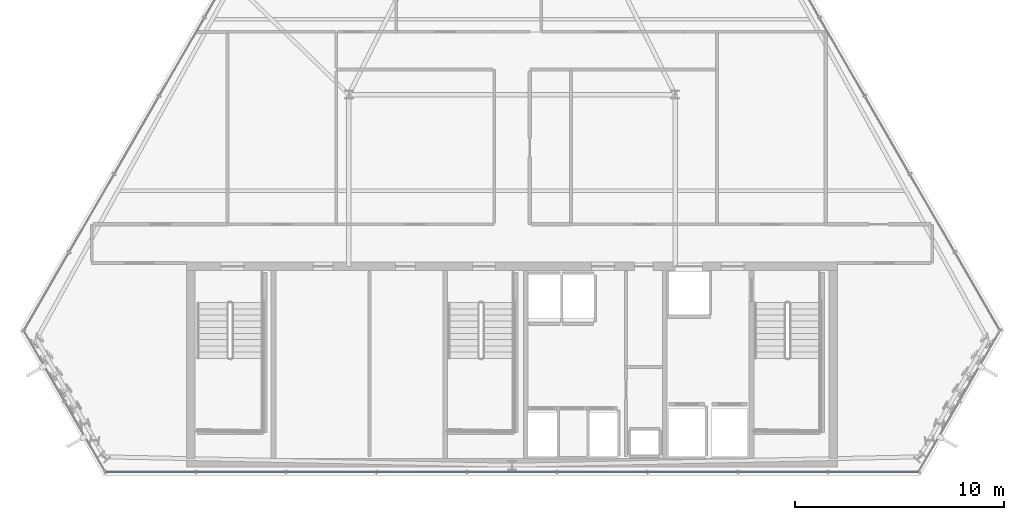
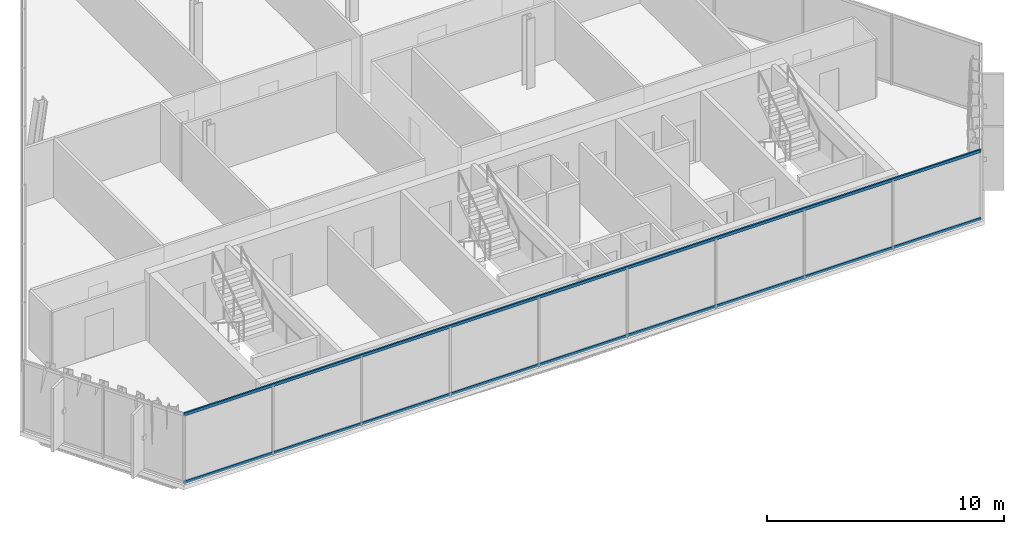
# One storey, part 7 of 30: 2 members, 1 element without a shape of its own.
"""IFC4 building model written with IfcOpenShell, lengths in metres."""

from ifc_helpers import new_model, si_unit, direction, frame, origin, origin_2d, place, context, subcontext, project, spatial, hollow_rectangle, extrude, material, layer, layer_set, material_profile, profile_set, type_object, element, aggregate, save


model = new_model("IFC4")

# Units and contexts
model_context = context("Model", 3, precision=1e-05, world=origin(), true_north=direction((0.0, 1.0)))
body_context = subcontext(model_context, "Body", "Model", "MODEL_VIEW")
ifc_project = project(units=[si_unit("LENGTHUNIT", "METRE"), si_unit("AREAUNIT", "SQUARE_METRE"), si_unit("VOLUMEUNIT", "CUBIC_METRE"), si_unit("PLANEANGLEUNIT", "RADIAN"), si_unit("MASSUNIT", "GRAM", prefix="KILO")], contexts=[model_context])

# Site, building, storey
site_placement = place(None, origin())
site = spatial("IfcSite", under=ifc_project, at=site_placement, CompositionType="ELEMENT")
building_placement = place(site_placement, origin())
building = spatial("IfcBuilding", under=site, at=building_placement, Name="Ndaravel Arena Tower", CompositionType="ELEMENT")
storey_placement = place(building_placement, frame((0.0, 0.0, 225.60009765625)))
storey = spatial("IfcBuildingStorey", under=building, at=storey_placement, Name="L54", CompositionType="ELEMENT", Elevation=225.60009765625)

# Curtain wall, members
ifc_material_1 = material(Name="Aluminium", Category="aluminium")
ifc_layer = layer(ifc_material_1, 0.179931640625)
ifc_layer_set = layer_set([ifc_layer], Name="Aluminium")
curtain_wall_type = type_object("IfcCurtainWallType", Name="CW-SYS-03", PredefinedType="NOTDEFINED", material=ifc_layer_set)
curtain_wall_placement = place(storey_placement, origin())
curtain_wall = element("IfcCurtainWall", 1, at=curtain_wall_placement, inside=storey, type_object=curtain_wall_type, Name="L54 Faceted Crystal Curtain Wall CW-L54-E01", PredefinedType="NOTDEFINED")
ifc_material_2 = material(Name="Aluminium", Category="aluminium")
ifc_material_profile = material_profile(ifc_material_2, hollow_rectangle(XDim=0.074951171875, YDim=0.14990234375, WallThickness=0.00390625, at=origin_2d()), Name="CW TRANSOM 75x150x4")
ifc_profile_set = profile_set([ifc_material_profile], Name="Aluminium")
member_type = type_object("IfcMemberType", Name="MEM-CW-TRN150", PredefinedType="USERDEFINED", material=ifc_profile_set)
member_1_placement = place(storey_placement, frame((22.566650390625, 5.159912109375, 0.039794921875), z_axis=(1.0, 0.0, 0.0), x_axis=(0.0, 1.0, 0.0)))
member_1 = element("IfcMember", 2, at=member_1_placement, type_object=member_type, Name="CW-L54-E01 Transom 01", ObjectType="TRANSOM", PredefinedType="USERDEFINED", context=body_context, shape_type="SweptSolid", body=[
    extrude(hollow_rectangle(XDim=0.074951171875, YDim=0.14990234375, WallThickness=0.00390625, at=origin_2d()), origin(), (0.0, 0.0, 1.0), 38.86669921875),
])
member_2_placement = place(storey_placement, frame((22.566650390625, 5.159912109375, 3.539794921875), z_axis=(1.0, 0.0, 0.0), x_axis=(0.0, 1.0, 0.0)))
member_2 = element("IfcMember", 3, at=member_2_placement, type_object=member_type, Name="CW-L54-E01 Transom 02", ObjectType="TRANSOM", PredefinedType="USERDEFINED", context=body_context, shape_type="SweptSolid", body=[
    extrude(hollow_rectangle(XDim=0.074951171875, YDim=0.14990234375, WallThickness=0.00390625, at=origin_2d()), origin(), (0.0, 0.0, 1.0), 38.86669921875),
])
aggregate(curtain_wall, [member_1, member_2])

save(model, "model.ifc")
